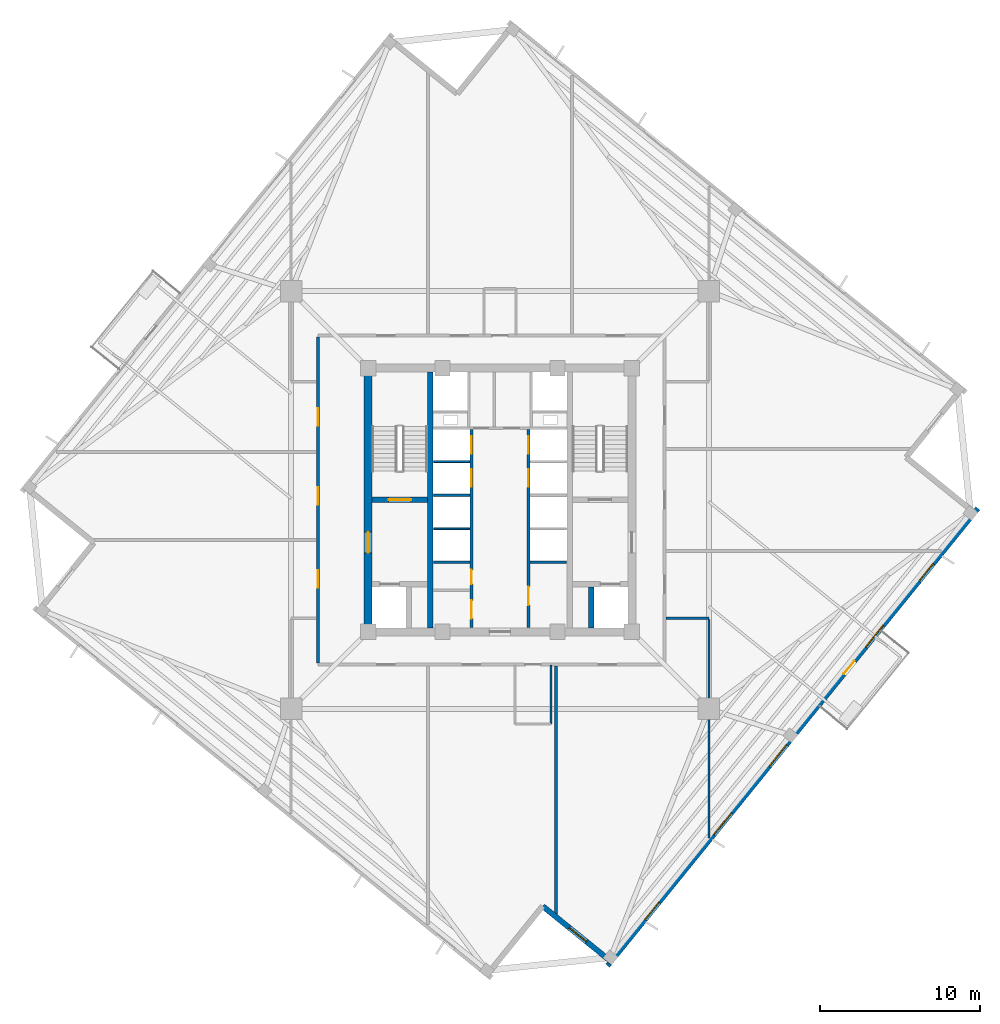
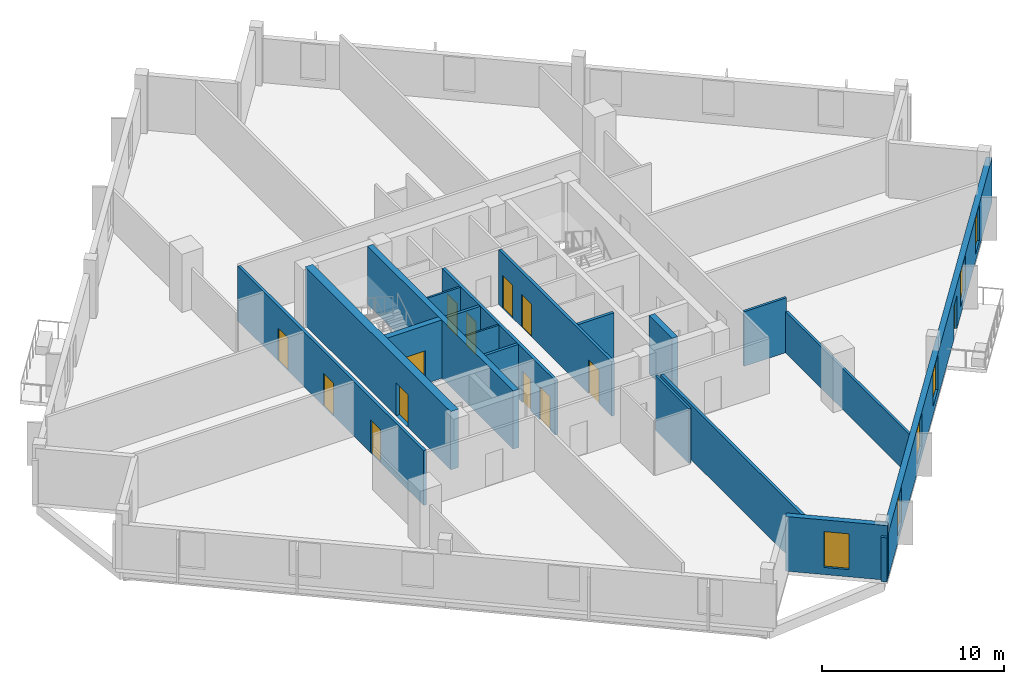
# One storey, part 3 of 9: 18 walls, 13 doors, 6 windows, 19 openings.
"""IFC4 building model written with IfcOpenShell, lengths in metres."""

from ifc_helpers import new_model, si_unit, direction, frame, frame_2d, origin, place, context, subcontext, project, spatial, rectangle, extrude, source, transform, mapped, material, layer, layer_set, type_object, element, fill, save


model = new_model("IFC4")

# Units and contexts
model_context = context("Model", 3, precision=1e-05, world=origin(), true_north=direction((0.0, 1.0)))
body_context = subcontext(model_context, "Body", "Model", "MODEL_VIEW")
ifc_project = project(units=[si_unit("LENGTHUNIT", "METRE"), si_unit("AREAUNIT", "SQUARE_METRE"), si_unit("VOLUMEUNIT", "CUBIC_METRE"), si_unit("PLANEANGLEUNIT", "RADIAN"), si_unit("MASSUNIT", "GRAM", prefix="KILO"), si_unit("THERMODYNAMICTEMPERATUREUNIT", "KELVIN")], contexts=[model_context])

# Site, building, storey
site_placement = place(None, origin())
site = spatial("IfcSite", under=ifc_project, at=site_placement, CompositionType="ELEMENT")
building_placement = place(site_placement, origin())
building = spatial("IfcBuilding", under=site, at=building_placement, Name="Kosmvard Interchange Tower", CompositionType="ELEMENT")
storey_placement = place(building_placement, frame((0.0, 0.0, 232.89990234375)))
storey = spatial("IfcBuildingStorey", under=building, at=storey_placement, Name="L56", CompositionType="ELEMENT", Elevation=232.89990234375)

# Walls
ifc_material_1 = material(Name="Acoustic gypsum partition system")
ifc_layer_1 = layer(ifc_material_1, 0.14990234375, Name="Acoustic gypsum partition system")
ifc_layer_set_1 = layer_set([ifc_layer_1], Name="Acoustic gypsum partition system")
wall_type_1 = type_object("IfcWallType", Name="Acoustic Suite & Meeting Partition 150", PredefinedType="PARTITIONING", material=ifc_layer_set_1)
wall_1_placement = place(storey_placement, frame((10.39501953125, -7.39990234375, 0.0), z_axis=(0.0, 0.0, 1.0), x_axis=(1.0, 0.0, 0.0)))
element("IfcWall", 1, at=wall_1_placement, inside=storey, type_object=wall_type_1, Name="L56 Room Partition 13.1", PredefinedType="PARTITIONING", context=body_context, shape_type="SweptSolid", body=[
    extrude(rectangle(XDim=2.68603515625, YDim=0.14990234375, at=frame_2d((1.343017578125, 0.0))), origin(), (0.0, 0.0, 1.0), 3.66015625),
])
wall_2_placement = place(storey_placement, frame((13.0810546875, -7.47509765625, 0.0), z_axis=(0.0, 0.0, 1.0), x_axis=(0.0, -1.0, 0.0)))
element("IfcWall", 2, at=wall_2_placement, inside=storey, type_object=wall_type_1, Name="L56 Room Partition 14.1", PredefinedType="PARTITIONING", context=body_context, shape_type="SweptSolid", body=[
    extrude(rectangle(XDim=13.67333984375, YDim=0.14990234375, at=frame_2d((6.836669921875, 0.0))), origin(), (0.0, 0.0, 1.0), 2.760009765625),
])

# Wall, openings, doors
ifc_material_2 = material(Name="Fire-rated gypsum partition system")
ifc_layer_2 = layer(ifc_material_2, 0.179931640625, Name="Fire-rated gypsum partition system")
ifc_layer_set_2 = layer_set([ifc_layer_2], Name="Fire-rated gypsum partition system")
wall_type_2 = type_object("IfcWallType", Name="Corridor & Hotel Compartment Partition 180", PredefinedType="PARTITIONING", material=ifc_layer_set_2)
wall_3_placement = place(storey_placement, frame((-1.7900390625, -7.97998046875, 0.0), z_axis=(0.0, 0.0, 1.0), x_axis=(0.0, 1.0, 0.0)))
wall_3 = element("IfcWall", 3, at=wall_3_placement, inside=storey, type_object=wall_type_2, Name="L56 West Lift Bank Front Wall", PredefinedType="PARTITIONING", context=body_context, shape_type="SweptSolid", body=[
    extrude(rectangle(XDim=12.3798828125, YDim=0.179931640625, at=frame_2d((6.18994140625, 0.0))), origin(), (0.0, 0.0, 1.0), 3.66015625),
])
opening_1_placement = place(wall_3_placement, frame((8.800048828125, 0.0, 0.0)))
opening_1 = element("IfcOpeningElement", 4, at=opening_1_placement, cuts=wall_3, Name="Opening LD-PL-H1-L56", PredefinedType="OPENING", context=body_context, shape_type="SweptSolid", body=[
    extrude(rectangle(XDim=1.10009765625, YDim=2.199951171875, at=frame_2d((0.550048828125, 1.10009765625))), frame((0.0, 0.10009765625, 0.0), z_axis=(0.0, -1.0, 0.0), x_axis=(1.0, 0.0, 0.0)), (0.0, 0.0, 1.0), 0.199951171875),
])
opening_2_placement = place(wall_3_placement, frame((10.860107421875, 0.0, 0.0)))
opening_2 = element("IfcOpeningElement", 5, at=opening_2_placement, cuts=wall_3, Name="Opening LD-PL-H2-L56", PredefinedType="OPENING", context=body_context, shape_type="SweptSolid", body=[
    extrude(rectangle(XDim=1.10009765625, YDim=2.199951171875, at=frame_2d((0.550048828125, 1.10009765625))), frame((0.0, 0.10009765625, 0.0), z_axis=(0.0, -1.0, 0.0), x_axis=(1.0, 0.0, 0.0)), (0.0, 0.0, 1.0), 0.199951171875),
])
opening_3_placement = place(wall_3_placement, frame((0.550048828125, 0.0, 0.0)))
opening_3 = element("IfcOpeningElement", 6, at=opening_3_placement, cuts=wall_3, Name="Opening L56-CD1", PredefinedType="OPENING", context=body_context, shape_type="SweptSolid", body=[
    extrude(rectangle(XDim=1.14990234375, YDim=2.25, at=frame_2d((0.574951171875, 1.125))), frame((0.0, 0.10009765625, 0.0), z_axis=(0.0, -1.0, 0.0), x_axis=(1.0, 0.0, 0.0)), (0.0, 0.0, 1.0), 0.199951171875),
])
opening_4_placement = place(wall_3_placement, frame((2.719970703125, 0.0, 0.0)))
opening_4 = element("IfcOpeningElement", 7, at=opening_4_placement, cuts=wall_3, Name="Opening L56-CD2", PredefinedType="OPENING", context=body_context, shape_type="SweptSolid", body=[
    extrude(rectangle(XDim=0.8798828125, YDim=2.10009765625, at=frame_2d((0.43994140625, 1.050048828125))), frame((0.0, 0.10009765625, 0.0), z_axis=(0.0, -1.0, 0.0), x_axis=(1.0, 0.0, 0.0)), (0.0, 0.0, 1.0), 0.199951171875),
])
ifc_material_3 = material(Name="Painted fire-rated steel leaf", Category="steel")
door_type_1 = type_object("IfcDoorType", Name="Plant & Riser Fire Door 1150x2250 EI60", OperationType="NOTDEFINED", PredefinedType="DOOR", material=ifc_material_3)
shared_shape_1 = source(origin(), body_context, "Body", "SweptSolid", [
    extrude(rectangle(XDim=1.14990234375, YDim=2.25, at=frame_2d((0.574951171875, 1.125))), frame((0.0, 0.02490234375, 0.0), z_axis=(0.0, -1.0, 0.0), x_axis=(1.0, 0.0, 0.0)), (0.0, 0.0, 1.0), 0.050048828125),
])
door_1_placement = place(opening_3_placement, origin())
door_1 = element("IfcDoor", 8, at=door_1_placement, inside=storey, type_object=door_type_1, Name="L56 Core Archive Door", OperationType="SINGLE_SWING_LEFT", OverallHeight=2.25, OverallWidth=1.14990234375, PredefinedType="DOOR", context=body_context, shape_type="MappedRepresentation", body=[
    mapped(shared_shape_1, transform((0.0, 0.0, 0.0), scale=1.0)),
])
fill(opening_3, door_1)
ifc_material_4 = material(Name="Brushed stainless steel sliding leaf", Category="steel")
door_type_2 = type_object("IfcDoorType", Name="Passenger Lift Sliding Landing Door 1100x2200 EI60", OperationType="DOUBLE_DOOR_SLIDING", PredefinedType="DOOR", material=ifc_material_4)
shared_shape_2 = source(origin(), body_context, "Body", "SweptSolid", [
    extrude(rectangle(XDim=1.10009765625, YDim=2.199951171875, at=frame_2d((0.550048828125, 1.10009765625))), frame((0.0, 0.02490234375, 0.0), z_axis=(0.0, -1.0, 0.0), x_axis=(1.0, 0.0, 0.0)), (0.0, 0.0, 1.0), 0.050048828125),
])
door_2_placement = place(opening_1_placement, frame((1.10009765625, 0.0, 0.0), z_axis=(0.0, 0.0, 1.0), x_axis=(-1.0, 0.0, 0.0)))
door_2 = element("IfcDoor", 9, at=door_2_placement, inside=storey, type_object=door_type_2, Name="Lift PL-H1 Landing Door L56", OperationType="DOUBLE_DOOR_SLIDING", OverallHeight=2.199951171875, OverallWidth=1.10009765625, PredefinedType="DOOR", context=body_context, shape_type="MappedRepresentation", body=[
    mapped(shared_shape_2, transform((0.0, 0.0, 0.0), scale=1.0)),
])
fill(opening_1, door_2)
door_3_placement = place(opening_2_placement, frame((1.10009765625, 0.0, 0.0), z_axis=(0.0, 0.0, 1.0), x_axis=(-1.0, 0.0, 0.0)))
door_3 = element("IfcDoor", 10, at=door_3_placement, inside=storey, type_object=door_type_2, Name="Lift PL-H2 Landing Door L56", OperationType="DOUBLE_DOOR_SLIDING", OverallHeight=2.199951171875, OverallWidth=1.10009765625, PredefinedType="DOOR", context=body_context, shape_type="MappedRepresentation", body=[
    mapped(shared_shape_2, transform((0.0, 0.0, 0.0), scale=1.0)),
])
fill(opening_2, door_3)
ifc_material_5 = material(Name="Painted fire-rated timber leaf", Category="wood")
door_type_3 = type_object("IfcDoorType", Name="Core Cupboard Fire Door 880x2100 EI30", OperationType="NOTDEFINED", PredefinedType="DOOR", material=ifc_material_5)
shared_shape_3 = source(origin(), body_context, "Body", "SweptSolid", [
    extrude(rectangle(XDim=0.8798828125, YDim=2.10009765625, at=frame_2d((0.43994140625, 1.050048828125))), frame((0.0, 0.02490234375, 0.0), z_axis=(0.0, -1.0, 0.0), x_axis=(1.0, 0.0, 0.0)), (0.0, 0.0, 1.0), 0.050048828125),
])
door_4_placement = place(opening_4_placement, origin())
door_4 = element("IfcDoor", 11, at=door_4_placement, inside=storey, type_object=door_type_3, Name="L56 Core Supplies Door", OperationType="SINGLE_SWING_RIGHT", OverallHeight=2.10009765625, OverallWidth=0.8798828125, PredefinedType="DOOR", context=body_context, shape_type="MappedRepresentation", body=[
    mapped(shared_shape_3, transform((0.0, 0.0, 0.0), scale=1.0)),
])
fill(opening_4, door_4)

wall_4_placement = place(storey_placement, frame((1.7900390625, -7.97998046875, 0.0), z_axis=(0.0, 0.0, 1.0), x_axis=(0.0, 1.0, 0.0)))
wall_4 = element("IfcWall", 12, at=wall_4_placement, inside=storey, type_object=wall_type_2, Name="L56 East Lift Bank Front Wall", PredefinedType="PARTITIONING", context=body_context, shape_type="SweptSolid", body=[
    extrude(rectangle(XDim=12.3798828125, YDim=0.179931640625, at=frame_2d((6.18994140625, 0.0))), origin(), (0.0, 0.0, 1.0), 3.66015625),
])
opening_5_placement = place(wall_4_placement, frame((8.800048828125, 0.0, 0.0)))
opening_5 = element("IfcOpeningElement", 13, at=opening_5_placement, cuts=wall_4, Name="Opening LD-PL-H3-L56", PredefinedType="OPENING", context=body_context, shape_type="SweptSolid", body=[
    extrude(rectangle(XDim=1.10009765625, YDim=2.199951171875, at=frame_2d((0.550048828125, 1.10009765625))), frame((0.0, 0.10009765625, 0.0), z_axis=(0.0, -1.0, 0.0), x_axis=(1.0, 0.0, 0.0)), (0.0, 0.0, 1.0), 0.199951171875),
])
opening_6_placement = place(wall_4_placement, frame((10.860107421875, 0.0, 0.0)))
opening_6 = element("IfcOpeningElement", 14, at=opening_6_placement, cuts=wall_4, Name="Opening LD-PL-H4-L56", PredefinedType="OPENING", context=body_context, shape_type="SweptSolid", body=[
    extrude(rectangle(XDim=1.10009765625, YDim=2.199951171875, at=frame_2d((0.550048828125, 1.10009765625))), frame((0.0, 0.10009765625, 0.0), z_axis=(0.0, -1.0, 0.0), x_axis=(1.0, 0.0, 0.0)), (0.0, 0.0, 1.0), 0.199951171875),
])
opening_7_placement = place(wall_4_placement, frame((1.39990234375, 0.0, 0.0)))
opening_7 = element("IfcOpeningElement", 15, at=opening_7_placement, cuts=wall_4, Name="Opening L56-CD3", PredefinedType="OPENING", context=body_context, shape_type="SweptSolid", body=[
    extrude(rectangle(XDim=1.14990234375, YDim=2.25, at=frame_2d((0.574951171875, 1.125))), frame((0.0, 0.10009765625, 0.0), z_axis=(0.0, -1.0, 0.0), x_axis=(1.0, 0.0, 0.0)), (0.0, 0.0, 1.0), 0.199951171875),
])
door_5_placement = place(opening_7_placement, frame((1.14990234375, 0.0, 0.0), z_axis=(0.0, 0.0, 1.0), x_axis=(-1.0, 0.0, 0.0)))
door_5 = element("IfcDoor", 16, at=door_5_placement, inside=storey, type_object=door_type_1, Name="L56 Core Telecoms Door", OperationType="SINGLE_SWING_RIGHT", OverallHeight=2.25, OverallWidth=1.14990234375, PredefinedType="DOOR", context=body_context, shape_type="MappedRepresentation", body=[
    mapped(shared_shape_1, transform((0.0, 0.0, 0.0), scale=1.0)),
])
fill(opening_7, door_5)
door_6_placement = place(opening_5_placement, origin())
door_6 = element("IfcDoor", 17, at=door_6_placement, inside=storey, type_object=door_type_2, Name="Lift PL-H3 Landing Door L56", OperationType="DOUBLE_DOOR_SLIDING", OverallHeight=2.199951171875, OverallWidth=1.10009765625, PredefinedType="DOOR", context=body_context, shape_type="MappedRepresentation", body=[
    mapped(shared_shape_2, transform((0.0, 0.0, 0.0), scale=1.0)),
])
fill(opening_5, door_6)
door_7_placement = place(opening_6_placement, origin())
door_7 = element("IfcDoor", 18, at=door_7_placement, inside=storey, type_object=door_type_2, Name="Lift PL-H4 Landing Door L56", OperationType="DOUBLE_DOOR_SLIDING", OverallHeight=2.199951171875, OverallWidth=1.10009765625, PredefinedType="DOOR", context=body_context, shape_type="MappedRepresentation", body=[
    mapped(shared_shape_2, transform((0.0, 0.0, 0.0), scale=1.0)),
])
fill(opening_6, door_7)

wall_5_placement = place(storey_placement, frame((-11.39990234375, -10.199951171875, 0.0), z_axis=(0.0, 0.0, 1.0), x_axis=(0.0, 1.0, 0.0)))
wall_5 = element("IfcWall", 19, at=wall_5_placement, inside=storey, type_object=wall_type_2, Name="L56 Corridor Wall CW", PredefinedType="PARTITIONING", context=body_context, shape_type="SweptSolid", body=[
    extrude(rectangle(XDim=20.39990234375, YDim=0.179931640625, at=frame_2d((10.199951171875, 0.0))), origin(), (0.0, 0.0, 1.0), 3.66015625),
])
opening_8_placement = place(wall_5_placement, frame((14.85009765625, 0.0, 0.0)))
opening_8 = element("IfcOpeningElement", 20, at=opening_8_placement, cuts=wall_5, Name="Opening L56-D03", PredefinedType="OPENING", context=body_context, shape_type="SweptSolid", body=[
    extrude(rectangle(XDim=1.10009765625, YDim=2.199951171875, at=frame_2d((0.550048828125, 1.10009765625))), frame((0.0, 0.10009765625, 0.0), z_axis=(0.0, -1.0, 0.0), x_axis=(1.0, 0.0, 0.0)), (0.0, 0.0, 1.0), 0.199951171875),
])
opening_9_placement = place(wall_5_placement, frame((4.699951171875, 0.0, 0.0)))
opening_9 = element("IfcOpeningElement", 21, at=opening_9_placement, cuts=wall_5, Name="Opening L56-D13", PredefinedType="OPENING", context=body_context, shape_type="SweptSolid", body=[
    extrude(rectangle(XDim=1.10009765625, YDim=2.199951171875, at=frame_2d((0.550048828125, 1.10009765625))), frame((0.0, 0.10009765625, 0.0), z_axis=(0.0, -1.0, 0.0), x_axis=(1.0, 0.0, 0.0)), (0.0, 0.0, 1.0), 0.199951171875),
])
opening_10_placement = place(wall_5_placement, frame((9.89990234375, 0.0, 0.0)))
opening_10 = element("IfcOpeningElement", 22, at=opening_10_placement, cuts=wall_5, Name="Opening L56-D14", PredefinedType="OPENING", context=body_context, shape_type="SweptSolid", body=[
    extrude(rectangle(XDim=1.10009765625, YDim=2.199951171875, at=frame_2d((0.550048828125, 1.10009765625))), frame((0.0, 0.10009765625, 0.0), z_axis=(0.0, -1.0, 0.0), x_axis=(1.0, 0.0, 0.0)), (0.0, 0.0, 1.0), 0.199951171875),
])
ifc_material_6 = material(Name="Engineered oak fire-rated timber", Category="wood")
door_type_4 = type_object("IfcDoorType", Name="Office Suite Entrance Door 1100x2200 FD30S", OperationType="NOTDEFINED", PredefinedType="DOOR", material=ifc_material_6)
door_8_placement = place(opening_8_placement, origin())
door_8 = element("IfcDoor", 23, at=door_8_placement, inside=storey, type_object=door_type_4, Name="L56 North-West Corner Office Door", OperationType="SINGLE_SWING_LEFT", OverallHeight=2.199951171875, OverallWidth=1.10009765625, PredefinedType="DOOR", context=body_context, shape_type="MappedRepresentation", body=[
    mapped(shared_shape_2, transform((0.0, 0.0, 0.0), scale=1.0)),
])
fill(opening_8, door_8)
door_9_placement = place(opening_9_placement, origin())
door_9 = element("IfcDoor", 24, at=door_9_placement, inside=storey, type_object=door_type_4, Name="L56 West Advisory Office 7 Door", OperationType="SINGLE_SWING_LEFT", OverallHeight=2.199951171875, OverallWidth=1.10009765625, PredefinedType="DOOR", context=body_context, shape_type="MappedRepresentation", body=[
    mapped(shared_shape_2, transform((0.0, 0.0, 0.0), scale=1.0)),
])
fill(opening_9, door_9)
door_10_placement = place(opening_10_placement, origin())
door_10 = element("IfcDoor", 25, at=door_10_placement, inside=storey, type_object=door_type_4, Name="L56 West Counsel Office 8 Door", OperationType="SINGLE_SWING_RIGHT", OverallHeight=2.199951171875, OverallWidth=1.10009765625, PredefinedType="DOOR", context=body_context, shape_type="MappedRepresentation", body=[
    mapped(shared_shape_2, transform((0.0, 0.0, 0.0), scale=1.0)),
])
fill(opening_10, door_10)

# Wall
wall_6_placement = place(storey_placement, frame((3.5, -10.39501953125, 0.0), z_axis=(0.0, 0.0, 1.0), x_axis=(0.0, -1.0, 0.0)))
element("IfcWall", 26, at=wall_6_placement, inside=storey, type_object=wall_type_2, Name="L56 Room Partition 05.1", PredefinedType="PARTITIONING", context=body_context, shape_type="SweptSolid", body=[
    extrude(rectangle(XDim=15.56884765625, YDim=0.179931640625, at=frame_2d((7.784423828125, 0.0))), origin(), (0.0, 0.0, 1.0), 3.66015625),
])

# Wall, openings, door, windows
ifc_material_7 = material(Name="Precast concrete C45/55", Category="concrete")
ifc_layer_3 = layer(ifc_material_7, 0.340087890625, Name="Precast concrete C45/55")
ifc_layer_set_3 = layer_set([ifc_layer_3], Name="Precast concrete C45/55")
wall_type_3 = type_object("IfcWallType", Name="Mid Tower Precast Pier Wall 340 C45/55", PredefinedType="STANDARD", material=ifc_layer_set_3)
wall_7_placement = place(storey_placement, frame((6.73291015625, -29.154296875, 0.0), z_axis=(0.0, 0.0, 1.0), x_axis=(0.629325378072, 0.77714192302, 0.0)))
wall_7 = element("IfcWall", 27, at=wall_7_placement, inside=storey, type_object=wall_type_3, Name="L56 Precast Facade Wall F-S", PredefinedType="STANDARD", context=body_context, shape_type="SweptSolid", body=[
    extrude(rectangle(XDim=36.840087890625, YDim=0.340087890625, at=frame_2d((18.419921875, 0.0))), origin(), (0.0, 0.0, 1.0), 2.960205078125),
])
opening_11_placement = place(wall_7_placement, frame((23.4951171875, 0.0, 0.0)))
opening_11 = element("IfcOpeningElement", 28, at=opening_11_placement, cuts=wall_7, Name="Opening L56-BDW", PredefinedType="OPENING", context=body_context, shape_type="SweptSolid", body=[
    extrude(rectangle(XDim=1.050048828125, YDim=2.25, at=frame_2d((0.52490234375, 1.125))), frame((0.0, 0.18017578125, 0.0), z_axis=(0.0, -1.0, 0.0), x_axis=(1.0, 0.0, 0.0)), (0.0, 0.0, 1.0), 0.360107421875),
])
opening_12_placement = place(wall_7_placement, frame((3.720703125, 0.0, 0.47998046875)))
opening_12 = element("IfcOpeningElement", 29, at=opening_12_placement, cuts=wall_7, Name="Opening L56-W01", PredefinedType="OPENING", context=body_context, shape_type="SweptSolid", body=[
    extrude(rectangle(XDim=1.39990234375, YDim=2.39990234375, at=frame_2d((0.699951171875, 1.199951171875))), frame((0.0, 0.18017578125, 0.0), z_axis=(0.0, -1.0, 0.0), x_axis=(1.0, 0.0, 0.0)), (0.0, 0.0, 1.0), 0.360107421875),
])
opening_13_placement = place(wall_7_placement, frame((10.55859375, 0.0, 0.580078125)))
opening_13 = element("IfcOpeningElement", 30, at=opening_13_placement, cuts=wall_7, Name="Opening L56-W02", PredefinedType="OPENING", context=body_context, shape_type="SweptSolid", body=[
    extrude(rectangle(XDim=1.75, YDim=2.300048828125, at=frame_2d((0.875, 1.14990234375))), frame((0.0, 0.18017578125, 0.0), z_axis=(0.0, -1.0, 0.0), x_axis=(1.0, 0.0, 0.0)), (0.0, 0.0, 1.0), 0.360107421875),
])
opening_14_placement = place(wall_7_placement, frame((16.05810546875, 0.0, 0.580078125)))
opening_14 = element("IfcOpeningElement", 31, at=opening_14_placement, cuts=wall_7, Name="Opening L56-W03", PredefinedType="OPENING", context=body_context, shape_type="SweptSolid", body=[
    extrude(rectangle(XDim=1.75, YDim=2.300048828125, at=frame_2d((0.875, 1.14990234375))), frame((0.0, 0.18017578125, 0.0), z_axis=(0.0, -1.0, 0.0), x_axis=(1.0, 0.0, 0.0)), (0.0, 0.0, 1.0), 0.360107421875),
])
opening_15_placement = place(wall_7_placement, frame((25.67626953125, 0.0, 0.580078125)))
opening_15 = element("IfcOpeningElement", 32, at=opening_15_placement, cuts=wall_7, Name="Opening L56-W04", PredefinedType="OPENING", context=body_context, shape_type="SweptSolid", body=[
    extrude(rectangle(XDim=1.75, YDim=2.300048828125, at=frame_2d((0.875, 1.14990234375))), frame((0.0, 0.18017578125, 0.0), z_axis=(0.0, -1.0, 0.0), x_axis=(1.0, 0.0, 0.0)), (0.0, 0.0, 1.0), 0.360107421875),
])
opening_16_placement = place(wall_7_placement, frame((30.982421875, 0.0, 0.47998046875)))
opening_16 = element("IfcOpeningElement", 33, at=opening_16_placement, cuts=wall_7, Name="Opening L56-W05", PredefinedType="OPENING", context=body_context, shape_type="SweptSolid", body=[
    extrude(rectangle(XDim=1.39990234375, YDim=2.39990234375, at=frame_2d((0.699951171875, 1.199951171875))), frame((0.0, 0.18017578125, 0.0), z_axis=(0.0, -1.0, 0.0), x_axis=(1.0, 0.0, 0.0)), (0.0, 0.0, 1.0), 0.360107421875),
])
ifc_material_8 = material(Name="Anodised aluminium and safety glass", Category="aluminium")
door_type_5 = type_object("IfcDoorType", Name="Tree-Balcony Glazed Door 1050x2250", OperationType="NOTDEFINED", PredefinedType="DOOR", material=ifc_material_8)
shared_shape_4 = source(origin(), body_context, "Body", "SweptSolid", [
    extrude(rectangle(XDim=1.050048828125, YDim=2.25, at=frame_2d((0.52490234375, 1.125))), frame((0.0, 0.02490234375, 0.0), z_axis=(0.0, -1.0, 0.0), x_axis=(1.0, 0.0, 0.0)), (0.0, 0.0, 1.0), 0.050048828125),
])
door_11_placement = place(opening_11_placement, origin())
door_11 = element("IfcDoor", 34, at=door_11_placement, inside=storey, type_object=door_type_5, Name="L56 Tree-Balcony Door BAL-L56-SW", OperationType="SINGLE_SWING_LEFT", OverallHeight=2.25, OverallWidth=1.050048828125, PredefinedType="DOOR", context=body_context, shape_type="MappedRepresentation", body=[
    mapped(shared_shape_4, transform((0.0, 0.0, 0.0), scale=1.0)),
])
fill(opening_11, door_11)
ifc_material_9 = material(Name="Low-E solar-control double glazing", Category="glass")
window_type_1 = type_object("IfcWindowType", Name="Notched Corner Feature Window 1400x2400", PartitioningType="SINGLE_PANEL", PredefinedType="WINDOW", material=ifc_material_9)
shared_shape_5 = source(origin(), body_context, "Body", "SweptSolid", [
    extrude(rectangle(XDim=1.39990234375, YDim=2.39990234375, at=frame_2d((0.699951171875, 1.199951171875))), frame((0.0, 0.030029296875, 0.0), z_axis=(0.0, -1.0, 0.0), x_axis=(1.0, 0.0, 0.0)), (0.0, 0.0, 1.0), 0.06005859375),
])
window_1_placement = place(opening_12_placement, origin())
window_1 = element("IfcWindow", 35, at=window_1_placement, inside=storey, type_object=window_type_1, Name="L56 Facade Punched Window 01", OverallHeight=2.39990234375, OverallWidth=1.39990234375, PartitioningType="SINGLE_PANEL", PredefinedType="WINDOW", context=body_context, shape_type="MappedRepresentation", body=[
    mapped(shared_shape_5, transform((0.0, 0.0, 0.0), scale=1.0)),
])
fill(opening_12, window_1)
window_2_placement = place(opening_16_placement, origin())
window_2 = element("IfcWindow", 36, at=window_2_placement, inside=storey, type_object=window_type_1, Name="L56 Facade Punched Window 05", OverallHeight=2.39990234375, OverallWidth=1.39990234375, PartitioningType="SINGLE_PANEL", PredefinedType="WINDOW", context=body_context, shape_type="MappedRepresentation", body=[
    mapped(shared_shape_5, transform((0.0, 0.0, 0.0), scale=1.0)),
])
fill(opening_16, window_2)
window_type_2 = type_object("IfcWindowType", Name="Zone 4 Suite Punched Window 1750x2300", PartitioningType="SINGLE_PANEL", PredefinedType="WINDOW", material=ifc_material_9)
shared_shape_6 = source(origin(), body_context, "Body", "SweptSolid", [
    extrude(rectangle(XDim=1.75, YDim=2.300048828125, at=frame_2d((0.875, 1.14990234375))), frame((0.0, 0.030029296875, 0.0), z_axis=(0.0, -1.0, 0.0), x_axis=(1.0, 0.0, 0.0)), (0.0, 0.0, 1.0), 0.06005859375),
])
window_3_placement = place(opening_13_placement, origin())
window_3 = element("IfcWindow", 37, at=window_3_placement, inside=storey, type_object=window_type_2, Name="L56 Facade Punched Window 02", OverallHeight=2.300048828125, OverallWidth=1.75, PartitioningType="SINGLE_PANEL", PredefinedType="WINDOW", context=body_context, shape_type="MappedRepresentation", body=[
    mapped(shared_shape_6, transform((0.0, 0.0, 0.0), scale=1.0)),
])
fill(opening_13, window_3)
window_4_placement = place(opening_14_placement, origin())
window_4 = element("IfcWindow", 38, at=window_4_placement, inside=storey, type_object=window_type_2, Name="L56 Facade Punched Window 03", OverallHeight=2.300048828125, OverallWidth=1.75, PartitioningType="SINGLE_PANEL", PredefinedType="WINDOW", context=body_context, shape_type="MappedRepresentation", body=[
    mapped(shared_shape_6, transform((0.0, 0.0, 0.0), scale=1.0)),
])
fill(opening_14, window_4)
window_5_placement = place(opening_15_placement, origin())
window_5 = element("IfcWindow", 39, at=window_5_placement, inside=storey, type_object=window_type_2, Name="L56 Facade Punched Window 04", OverallHeight=2.300048828125, OverallWidth=1.75, PartitioningType="SINGLE_PANEL", PredefinedType="WINDOW", context=body_context, shape_type="MappedRepresentation", body=[
    mapped(shared_shape_6, transform((0.0, 0.0, 0.0), scale=1.0)),
])
fill(opening_15, window_5)

# Wall, opening, window
wall_8_placement = place(storey_placement, frame((2.672607421875, -25.428955078125, 0.0), z_axis=(0.0, 0.0, 1.0), x_axis=(0.777162640055, -0.629299794138, 0.0)))
wall_8 = element("IfcWall", 40, at=wall_8_placement, inside=storey, type_object=wall_type_3, Name="L56 Precast Facade Wall N-SW2", PredefinedType="STANDARD", context=body_context, shape_type="SweptSolid", body=[
    extrude(rectangle(XDim=5.669921875, YDim=0.340087890625, at=frame_2d((2.8349609375, 0.0))), origin(), (0.0, 0.0, 1.0), 3.66015625),
])
opening_17_placement = place(wall_8_placement, frame((2.135009765625, 0.0, 0.47998046875)))
opening_17 = element("IfcOpeningElement", 41, at=opening_17_placement, cuts=wall_8, Name="Opening L56-W23", PredefinedType="OPENING", context=body_context, shape_type="SweptSolid", body=[
    extrude(rectangle(XDim=1.39990234375, YDim=2.39990234375, at=frame_2d((0.699951171875, 1.199951171875))), frame((0.0, 0.18017578125, 0.0), z_axis=(0.0, -1.0, 0.0), x_axis=(1.0, 0.0, 0.0)), (0.0, 0.0, 1.0), 0.360107421875),
])
window_6_placement = place(opening_17_placement, origin())
window_6 = element("IfcWindow", 42, at=window_6_placement, inside=storey, type_object=window_type_1, Name="L56 Corner Notch Window 23", OverallHeight=2.39990234375, OverallWidth=1.39990234375, PartitioningType="SINGLE_PANEL", PredefinedType="WINDOW", context=body_context, shape_type="MappedRepresentation", body=[
    mapped(shared_shape_5, transform((0.0, 0.0, 0.0), scale=1.0)),
])
fill(opening_17, window_6)

# Walls
ifc_material_10 = material(Name="Concrete blockwork masonry", Category="masonry")
ifc_layer_4 = layer(ifc_material_10, 0.179931640625, Name="Concrete blockwork masonry")
ifc_layer_set_4 = layer_set([ifc_layer_4], Name="Concrete blockwork masonry")
wall_type_4 = type_object("IfcWallType", Name="Riser & Lift Bank Divider Wall 180", PredefinedType="PARTITIONING", material=ifc_layer_set_4)
for number, where, z_axis, x_axis, name in (
    (43, (-4.169921875, -3.89990234375, 0.0), (0.0, 0.0, 1.0), (1.0, 0.0, 0.0), "L56 West Bank Divider BD1"),
    (44, (1.889892578125, -3.89990234375, 0.0), (0.0, 0.0, 1.0), (1.0, 0.0, 0.0), "L56 East Bank Divider BD1"),
    (45, (-4.169921875, 0.300048828125, 0.0), (0.0, 0.0, 1.0), (1.0, 0.0, 0.0), "L56 West Bank Divider BD2"),
):
    element("IfcWall", number, at=place(storey_placement, frame(where, z_axis=z_axis, x_axis=x_axis)), inside=storey, type_object=wall_type_4, Name=name, PredefinedType="PARTITIONING", context=body_context, shape_type="SweptSolid", body=[
        extrude(rectangle(XDim=2.280029296875, YDim=0.179931640625, at=frame_2d((1.14013671875, 0.0))), origin(), (0.0, 0.0, 1.0), 3.66015625),
    ])
ifc_material_11 = material(Name="Fire-rated gypsum shaftwall system")
ifc_layer_5 = layer(ifc_material_11, 0.1201171875, Name="Fire-rated gypsum shaftwall system")
ifc_layer_set_5 = layer_set([ifc_layer_5], Name="Fire-rated gypsum shaftwall system")
wall_type_5 = type_object("IfcWallType", Name="Shaft & Riser Fire Partition 120 EI60", PredefinedType="PARTITIONING", material=ifc_layer_set_5)
for number, where, z_axis, x_axis, name in (
    (46, (-4.159912109375, -1.800048828125, 0.0), (0.0, 0.0, 1.0), (1.0, 0.0, 0.0), "L56 Shaft Divider PL-M1"),
    (47, (-4.159912109375, 2.39990234375, 0.0), (0.0, 0.0, 1.0), (1.0, 0.0, 0.0), "L56 Shaft Divider PL-H1"),
):
    element("IfcWall", number, at=place(storey_placement, frame(where, z_axis=z_axis, x_axis=x_axis)), inside=storey, type_object=wall_type_5, Name=name, PredefinedType="PARTITIONING", context=body_context, shape_type="SweptSolid", body=[
        extrude(rectangle(XDim=2.260009765625, YDim=0.1201171875, at=frame_2d((1.1298828125, 0.0))), origin(), (0.0, 0.0, 1.0), 3.66015625),
    ])
ifc_material_12 = material(Name="Concrete C60/75", Category="concrete")
ifc_layer_6 = layer(ifc_material_12, 0.360107421875, Name="Concrete C60/75")
ifc_layer_set_6 = layer_set([ifc_layer_6], Name="Concrete C60/75")
wall_type_6 = type_object("IfcWallType", Name="Stair & Lift Shaft Shear Wall 360 C60/75", PredefinedType="SHEAR", material=ifc_layer_set_6)
wall_9_placement = place(storey_placement, frame((-4.360107421875, -8.0, 0.0), z_axis=(0.0, 0.0, 1.0), x_axis=(0.0, 1.0, 0.0)))
element("IfcWall", 48, at=wall_9_placement, inside=storey, type_object=wall_type_6, Name="L56 Shaft Shear Wall SW-W", PredefinedType="SHEAR", context=body_context, shape_type="SweptSolid", body=[
    extrude(rectangle(XDim=16.0, YDim=0.360107421875, at=frame_2d((8.0, 0.0))), origin(), (0.0, 0.0, 1.0), 3.900146484375),
])

# Wall, opening, door
wall_10_placement = place(storey_placement, frame((-8.0, 0.02001953125, 0.0), z_axis=(0.0, 0.0, 1.0), x_axis=(1.0, 0.0, 0.0)))
wall_10 = element("IfcWall", 49, at=wall_10_placement, inside=storey, type_object=wall_type_6, Name="L56 Shaft Shear Wall SW-ST1", PredefinedType="SHEAR", context=body_context, shape_type="SweptSolid", body=[
    extrude(rectangle(XDim=3.4599609375, YDim=0.360107421875, at=frame_2d((1.72998046875, 0.0))), origin(), (0.0, 0.0, 1.0), 3.900146484375),
])
opening_18_placement = place(wall_10_placement, frame((1.030029296875, 0.0, 0.0)))
opening_18 = element("IfcOpeningElement", 50, at=opening_18_placement, cuts=wall_10, Name="Opening L56-SD1", PredefinedType="OPENING", context=body_context, shape_type="SweptSolid", body=[
    extrude(rectangle(XDim=1.39990234375, YDim=2.199951171875, at=frame_2d((0.699951171875, 1.10009765625))), frame((0.0, 0.18994140625, 0.0), z_axis=(0.0, -1.0, 0.0), x_axis=(1.0, 0.0, 0.0)), (0.0, 0.0, 1.0), 0.380126953125),
])
door_type_6 = type_object("IfcDoorType", Name="Protected Stair Door 1400x2200 FD60S", OperationType="NOTDEFINED", PredefinedType="DOOR", material=ifc_material_3)
shared_shape_7 = source(origin(), body_context, "Body", "SweptSolid", [
    extrude(rectangle(XDim=1.39990234375, YDim=2.199951171875, at=frame_2d((0.699951171875, 1.10009765625))), frame((0.0, 0.02490234375, 0.0), z_axis=(0.0, -1.0, 0.0), x_axis=(1.0, 0.0, 0.0)), (0.0, 0.0, 1.0), 0.050048828125),
])
door_12_placement = place(opening_18_placement, origin())
door_12 = element("IfcDoor", 51, at=door_12_placement, inside=storey, type_object=door_type_6, Name="L56 Stair ST-1 Enclosure Door", OperationType="SINGLE_SWING_LEFT", OverallHeight=2.199951171875, OverallWidth=1.39990234375, PredefinedType="DOOR", context=body_context, shape_type="MappedRepresentation", body=[
    mapped(shared_shape_7, transform((0.0, 0.0, 0.0), scale=1.0)),
])
fill(opening_18, door_12)

# Wall
wall_11_placement = place(storey_placement, frame((5.7099609375, -8.0, 0.0), z_axis=(0.0, 0.0, 1.0), x_axis=(0.0, 1.0, 0.0)))
element("IfcWall", 52, at=wall_11_placement, inside=storey, type_object=wall_type_6, Name="L56 Shaft Shear Wall SW-SM2", PredefinedType="SHEAR", context=body_context, shape_type="SweptSolid", body=[
    extrude(rectangle(XDim=2.5400390625, YDim=0.360107421875, at=frame_2d((1.27001953125, 0.0))), origin(), (0.0, 0.0, 1.0), 3.900146484375),
])

# Wall, opening, door
ifc_layer_7 = layer(ifc_material_12, 0.5, Name="Concrete C60/75")
ifc_layer_set_7 = layer_set([ifc_layer_7], Name="Concrete C60/75")
wall_type_7 = type_object("IfcWallType", Name="Upper Core Shear Wall 500 C60/75", PredefinedType="SHEAR", material=ifc_layer_set_7)
wall_12_placement = place(storey_placement, frame((-8.25, -8.0, 0.0), z_axis=(0.0, 0.0, 1.0), x_axis=(0.0, 1.0, 0.0)))
wall_12 = element("IfcWall", 53, at=wall_12_placement, inside=storey, type_object=wall_type_7, Name="L56 Core Shear Wall CW-W", PredefinedType="SHEAR", context=body_context, shape_type="SweptSolid", body=[
    extrude(rectangle(XDim=16.0, YDim=0.5, at=frame_2d((8.0, 0.0))), origin(), (0.0, 0.0, 1.0), 3.900146484375),
])
opening_19_placement = place(wall_12_placement, frame((4.68994140625, 0.0, 0.0)))
opening_19 = element("IfcOpeningElement", 54, at=opening_19_placement, cuts=wall_12, Name="Opening L56-FD1", PredefinedType="OPENING", context=body_context, shape_type="SweptSolid", body=[
    extrude(rectangle(XDim=1.300048828125, YDim=2.199951171875, at=frame_2d((0.64990234375, 1.10009765625))), frame((0.0, 0.260009765625, 0.0), z_axis=(0.0, -1.0, 0.0), x_axis=(1.0, 0.0, 0.0)), (0.0, 0.0, 1.0), 0.52001953125),
])
door_type_7 = type_object("IfcDoorType", Name="Firefighting Lobby Door 1300x2200 EI60", OperationType="NOTDEFINED", PredefinedType="DOOR", material=ifc_material_3)
shared_shape_8 = source(origin(), body_context, "Body", "SweptSolid", [
    extrude(rectangle(XDim=1.300048828125, YDim=2.199951171875, at=frame_2d((0.64990234375, 1.10009765625))), frame((0.0, 0.02490234375, 0.0), z_axis=(0.0, -1.0, 0.0), x_axis=(1.0, 0.0, 0.0)), (0.0, 0.0, 1.0), 0.050048828125),
])
door_13_placement = place(opening_19_placement, frame((1.300048828125, 0.0, 0.0), z_axis=(0.0, 0.0, 1.0), x_axis=(-1.0, 0.0, 0.0)))
door_13 = element("IfcDoor", 55, at=door_13_placement, inside=storey, type_object=door_type_7, Name="L56 Firefighting Lobby West Door", OperationType="SINGLE_SWING_LEFT", OverallHeight=2.199951171875, OverallWidth=1.300048828125, PredefinedType="DOOR", context=body_context, shape_type="MappedRepresentation", body=[
    mapped(shared_shape_8, transform((0.0, 0.0, 0.0), scale=1.0)),
])
fill(opening_19, door_13)

# Wall
ifc_material_13 = material(Name="Moisture-resistant gypsum partition")
ifc_layer_8 = layer(ifc_material_13, 0.135009765625, Name="Moisture-resistant gypsum partition")
ifc_layer_set_8 = layer_set([ifc_layer_8], Name="Moisture-resistant gypsum partition")
wall_type_8 = type_object("IfcWallType", Name="Wet Room Moisture-Resistant Partition 135", PredefinedType="PARTITIONING", material=ifc_layer_set_8)
wall_13_placement = place(storey_placement, frame((3.18896484375, -14.02001953125, 0.0), z_axis=(0.0, 0.0, 1.0), x_axis=(0.0, 1.0, 0.0)))
element("IfcWall", 56, at=wall_13_placement, inside=storey, type_object=wall_type_8, Name="L56 Washroom Partition WC1-E", PredefinedType="PARTITIONING", context=body_context, shape_type="SweptSolid", body=[
    extrude(rectangle(XDim=3.699951171875, YDim=0.135009765625, at=frame_2d((1.85009765625, 0.0))), origin(), (0.0, 0.0, 1.0), 3.66015625),
])

save(model, "model.ifc")
